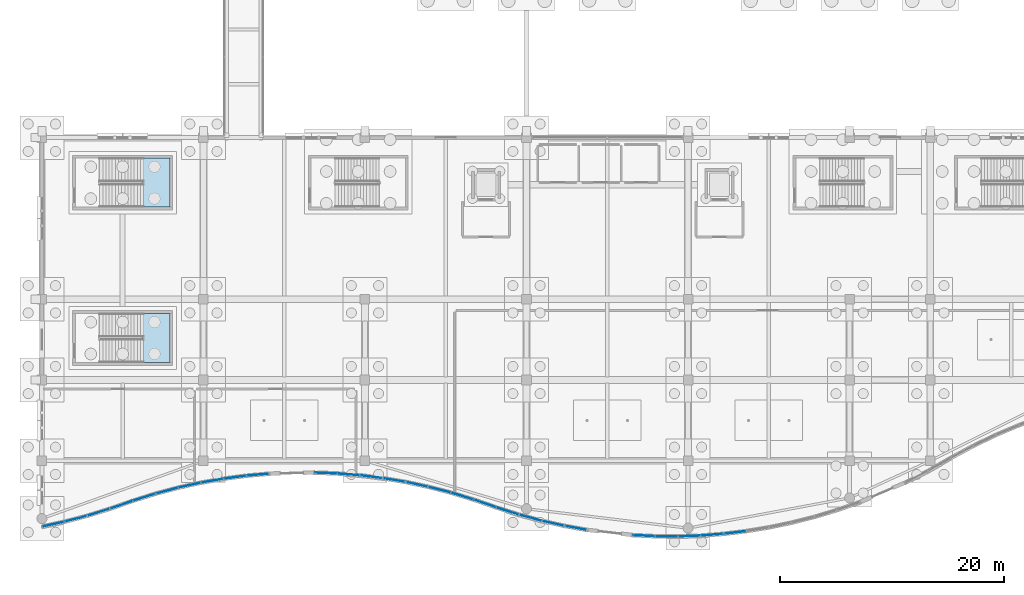
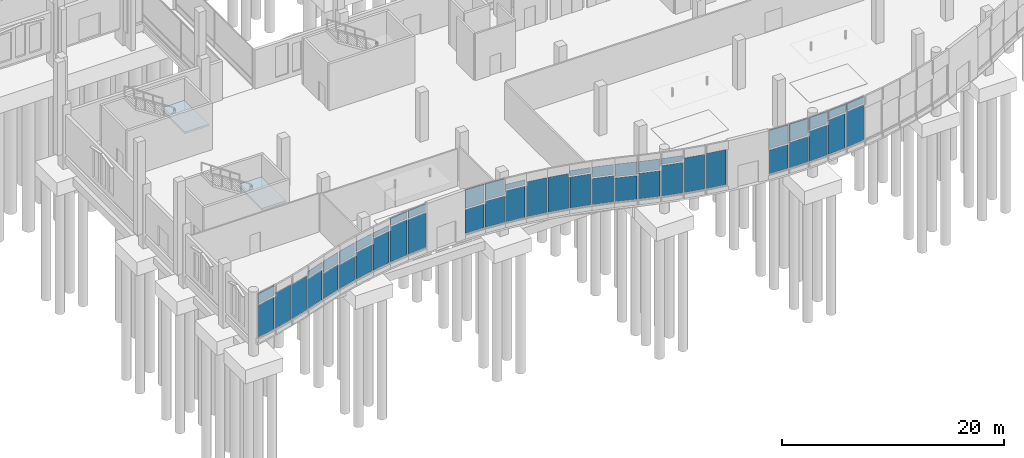
# One storey, part 122 of 192: 48 plates, 2 slabs, 29 elements without a shape of their own.
"""IFC4 building model written with IfcOpenShell, lengths in metres."""

import ifcopenshell
import ifcopenshell.guid

model = None  # the IFC model being written
_history = None  # IfcOwnerHistory: only IFC2X3 demands one
_inside = {}  # id of a spatial element -> (the spatial element, [elements in it])
_under = {}  # id of a project, library or spatial element -> (it, [spatial elements below it])
_declared = {}  # id of a project -> (the project, [libraries it declares])
_typed = {}  # id of a type object -> (the type object, [elements of that type])
_made_of = {}  # id of a material, layer set ... -> (it, [elements and type objects made of it])


def new_model(schema):
    """Start an empty IFC model of exactly this schema.

    Asked for "IFC4X3", IfcOpenShell would pick the latest addendum, in which some entities
    have other attributes; the version numbers below select the first issue.
    IFC2X3 requires an IfcOwnerHistory on every rooted entity: one is made here for all.
    """
    global model, _history
    if schema == "IFC4X3":
        model = ifcopenshell.file(schema_version=(4, 3, 0, 0))
    else:
        model = ifcopenshell.file(schema=schema)
    _inside.clear()
    _under.clear()
    _declared.clear()
    _typed.clear()
    _made_of.clear()
    _history = None
    if model.schema == "IFC2X3":
        org = make("IfcOrganization", Name="unknown")
        user = make(
            "IfcPersonAndOrganization",
            ThePerson=make("IfcPerson", FamilyName="unknown"),
            TheOrganization=org,
        )
        app = make(
            "IfcApplication",
            ApplicationDeveloper=org,
            Version="unknown",
            ApplicationFullName="unknown",
            ApplicationIdentifier="unknown",
        )
        _history = make(
            "IfcOwnerHistory",
            OwningUser=user,
            OwningApplication=app,
            ChangeAction="ADDED",
            CreationDate=0,
        )
    return model


def make(cls, **values):
    """One entity of the class cls with the attributes given. An attribute that is None is left unset."""
    return model.create_entity(
        cls, **{name: value for name, value in values.items() if value is not None}
    )


def rooted(cls, **values):
    """An entity with a GlobalId (a new one), such as an element, a storey or a relation."""
    return make(cls, GlobalId=ifcopenshell.guid.new(), OwnerHistory=_history, **values)


def si_unit(unit_type, name, prefix=None):
    """IfcSIUnit, for example si_unit("LENGTHUNIT", "METRE", prefix="MILLI")."""
    return make("IfcSIUnit", UnitType=unit_type, Prefix=prefix, Name=name)


def assignment(units):
    """IfcUnitAssignment: the units of a project."""
    return None if units is None else make("IfcUnitAssignment", Units=units)


def point(xyz):
    """IfcCartesianPoint."""
    return None if xyz is None else make("IfcCartesianPoint", Coordinates=xyz)


def direction(xyz):
    """IfcDirection."""
    return None if xyz is None else make("IfcDirection", DirectionRatios=xyz)


def frame(location, z_axis=None, x_axis=None):
    """IfcAxis2Placement3D, a coordinate frame: its origin and axes. An axis left out is left unset."""
    return make(
        "IfcAxis2Placement3D",
        Location=point(location),
        Axis=direction(z_axis),
        RefDirection=direction(x_axis),
    )


def frame_2d(location, x_axis=None):
    """IfcAxis2Placement2D, a coordinate frame in the plane: its origin and x axis."""
    return make(
        "IfcAxis2Placement2D", Location=point(location), RefDirection=direction(x_axis)
    )


def origin():
    """The frame at (0, 0, 0) with its axes left unset."""
    return frame((0.0, 0.0, 0.0))


def origin_2d():
    """The frame at (0, 0) in the plane with its x axis left unset."""
    return frame_2d((0.0, 0.0))


def place(relative_to, where):
    """IfcLocalPlacement: puts the frame where relative to a parent placement (None: the world)."""
    return make(
        "IfcLocalPlacement", PlacementRelTo=relative_to, RelativePlacement=where
    )


def context(
    kind, dimensions, precision=None, world=None, true_north=None, identifier=None
):
    """IfcGeometricRepresentationContext, for example the 3D "Model" context."""
    return make(
        "IfcGeometricRepresentationContext",
        ContextIdentifier=identifier,
        ContextType=kind,
        CoordinateSpaceDimension=dimensions,
        Precision=precision,
        WorldCoordinateSystem=world,
        TrueNorth=true_north,
    )


def subcontext(parent, identifier, kind, view, scale=None):
    """IfcGeometricRepresentationSubContext, for example "Body" below "Model"."""
    return make(
        "IfcGeometricRepresentationSubContext",
        ContextIdentifier=identifier,
        ContextType=kind,
        ParentContext=parent,
        TargetScale=scale,
        TargetView=view,
    )


def project(units=None, contexts=None):
    """IfcProject with its units and contexts."""
    return rooted(
        "IfcProject",
        Name="project",
        RepresentationContexts=contexts,
        UnitsInContext=assignment(units),
    )


def spatial(cls, under=None, at=None, **own):
    """A site, building, storey or space (cls), placed at a placement, below another one or the project."""
    s = rooted(cls, ObjectPlacement=at, **own)
    if under is not None:
        _under.setdefault(under.id(), (under, []))[1].append(s)
    return s


def polyline(points):
    """IfcPolyline through the points."""
    return make("IfcPolyline", Points=[point(p) for p in points])


def profile(cls, at=None, kind="AREA", **sizes):
    """A parametric profile (cls). Its sizes go by their IFC names, for example OverallWidth=200.0."""
    return make(cls, ProfileType=kind, Position=at, **sizes)


def rectangle(**sizes):
    """IfcRectangleProfileDef."""
    return profile("IfcRectangleProfileDef", **sizes)


def outline(outer, holes=None, kind="AREA"):
    """IfcArbitraryClosedProfileDef: a profile drawn as a closed curve; with holes, ...WithVoids."""
    if holes is None:
        return make("IfcArbitraryClosedProfileDef", ProfileType=kind, OuterCurve=outer)
    return make(
        "IfcArbitraryProfileDefWithVoids",
        ProfileType=kind,
        OuterCurve=outer,
        InnerCurves=holes,
    )


def extrude(swept, where, along, depth):
    """IfcExtrudedAreaSolid: the profile swept, set in the frame where, extruded along a direction by depth."""
    return make(
        "IfcExtrudedAreaSolid",
        SweptArea=swept,
        Position=where,
        ExtrudedDirection=direction(along),
        Depth=depth,
    )


def shape(context_of_items, identifier, shape_type, items):
    """IfcShapeRepresentation: the items that make up one representation, for example the "Body"."""
    return make(
        "IfcShapeRepresentation",
        ContextOfItems=context_of_items,
        RepresentationIdentifier=identifier,
        RepresentationType=shape_type,
        Items=items,
    )


def material(Name=None, Category=None):
    """IfcMaterial."""
    return make("IfcMaterial", Name=Name, Category=Category)


def layer(
    of_material, thickness, ventilated=None, Name=None, Category=None, Priority=None
):
    """IfcMaterialLayer: one layer of a wall or slab, of a material (None: an air gap)."""
    return make(
        "IfcMaterialLayer",
        Material=of_material,
        LayerThickness=thickness,
        IsVentilated=ventilated,
        Name=Name,
        Category=Category,
        Priority=Priority,
    )


def layer_set(layers, Name=None):
    """IfcMaterialLayerSet."""
    return make("IfcMaterialLayerSet", MaterialLayers=layers, LayerSetName=Name)


def made_of(thing, what):
    """Note that an element or type object is made of a material, layer set ...; save() writes the relation."""
    if what is not None:
        _made_of.setdefault(what.id(), (what, []))[1].append(thing)
    return thing


def type_object(cls, material=None, **own):
    """A type object (cls), such as IfcWallType, which elements share."""
    return made_of(rooted(cls, **own), material)


def element(
    cls,
    number,
    at=None,
    inside=None,
    cuts=None,
    type_object=None,
    material=None,
    context=None,
    identifier="Body",
    shape_type=None,
    held_by="IfcProductDefinitionShape",
    body=None,
    shapes=None,
    **own,
):
    """One element of the class cls, such as IfcWall. Its Tag is "e" and its number.

    at: its placement. inside: the storey or other place that contains it. cuts: it is an
    opening in that element (IfcRelVoidsElement). A single representation is given by context,
    identifier, shape_type and body (its items); several are given by shapes. held_by: the class
    of the entity that holds the representations. save() writes the other relations.
    """
    e = rooted(cls, Tag="e%d" % number, ObjectPlacement=at, **own)
    if body is not None:
        shapes = [shape(context, identifier, shape_type, body)]
    if shapes is not None:
        e.Representation = make(held_by, Representations=shapes)
    if inside is not None:
        _inside.setdefault(inside.id(), (inside, []))[1].append(e)
    if cuts is not None:
        rooted(
            "IfcRelVoidsElement", RelatingBuildingElement=cuts, RelatedOpeningElement=e
        )
    if type_object is not None:
        _typed.setdefault(type_object.id(), (type_object, []))[1].append(e)
    return made_of(e, material)


def aggregate(whole, parts):
    """IfcRelAggregates: a whole, such as a stair, and the parts it consists of."""
    return rooted("IfcRelAggregates", RelatingObject=whole, RelatedObjects=parts)


def save(model, path):
    """Write the relations noted so far, then the file.

    IfcRelAggregates (storeys below a building ...), IfcRelContainedInSpatialStructure (elements
    in a storey), IfcRelDefinesByType, IfcRelAssociatesMaterial and IfcRelDeclares: one each for
    every whole, place, type object, material and project.
    """
    for whole, parts in _under.values():
        aggregate(whole, parts)
    for where, things in _inside.values():
        rooted(
            "IfcRelContainedInSpatialStructure",
            RelatedElements=things,
            RelatingStructure=where,
        )
    for kind, things in _typed.values():
        rooted("IfcRelDefinesByType", RelatedObjects=things, RelatingType=kind)
    for what, things in _made_of.values():
        rooted("IfcRelAssociatesMaterial", RelatedObjects=things, RelatingMaterial=what)
    for by, libraries in _declared.values():
        rooted("IfcRelDeclares", RelatingContext=by, RelatedDefinitions=libraries)
    model.write(path)


model = new_model("IFC4")

# Units and contexts
model_context = context("Model", 3, precision=1e-05, world=origin(), true_north=direction((0.0, 1.0)))
body_context = subcontext(model_context, "Body", "Model", "MODEL_VIEW")
ifc_project = project(units=[si_unit("LENGTHUNIT", "METRE"), si_unit("AREAUNIT", "SQUARE_METRE"), si_unit("VOLUMEUNIT", "CUBIC_METRE"), si_unit("PLANEANGLEUNIT", "RADIAN"), si_unit("MASSUNIT", "GRAM", prefix="KILO")], contexts=[model_context])

# Site, building, storey
site_placement = place(None, origin())
site = spatial("IfcSite", under=ifc_project, at=site_placement, CompositionType="ELEMENT")
building_placement = place(site_placement, origin())
building = spatial("IfcBuilding", under=site, at=building_placement, Name="Cendralis Lancet Convention Centre", CompositionType="ELEMENT")
storey_placement = place(building_placement, origin())
storey = spatial("IfcBuildingStorey", under=building, at=storey_placement, Name="L00", CompositionType="ELEMENT", Elevation=0.0)

# Curtain wall, plate
ifc_material_1 = material(Name="Anodised bronze architectural aluminium", Category="aluminium")
curtain_wall_type = type_object("IfcCurtainWallType", Name="ARC-CW-WF01", PredefinedType="USERDEFINED", material=ifc_material_1)
curtain_wall_1_placement = place(storey_placement, origin())
curtain_wall_1 = element("IfcCurtainWall", 1, at=curtain_wall_1_placement, inside=storey, type_object=curtain_wall_type, Name="L00 Curtain Wall CW-WF1 #001", ObjectType="CURTAIN WALL", PredefinedType="USERDEFINED")
ifc_material_2 = material(Name="Double-glazed low-E solar-control glass", Category="glass")
ifc_layer_1 = layer(ifc_material_2, 0.035888671875, Name="Double-glazed low-E solar-control glass")
ifc_layer_set_1 = layer_set([ifc_layer_1], Name="Double-glazed low-E solar-control glass")
plate_type_1 = type_object("IfcPlateType", Name="ARC-PL-GL01", PredefinedType="CURTAIN_PANEL", material=ifc_layer_set_1)
plate_1_placement = place(storey_placement, frame((1.012451171875, 1.5439453125, 0.52001953125), z_axis=(0.0, 0.0, 1.0), x_axis=(0.977397995132, 0.211407566353, 0.0)))
plate_1 = element("IfcPlate", 2, at=plate_1_placement, type_object=plate_type_1, Name="Vision Glass Panel CW2-CW-WF1-L00-001-PG0", PredefinedType="CURTAIN_PANEL", context=body_context, shape_type="SweptSolid", body=[
    extrude(rectangle(XDim=1.931884765625, YDim=0.035888671875, at=origin_2d()), origin(), (0.0, 0.0, 1.0), 3.5380859375),
])

curtain_wall_2_placement = place(storey_placement, origin())
curtain_wall_2 = element("IfcCurtainWall", 3, at=curtain_wall_2_placement, inside=storey, type_object=curtain_wall_type, Name="L00 Curtain Wall CW-WF1 #002", ObjectType="CURTAIN WALL", PredefinedType="USERDEFINED")
plate_2_placement = place(storey_placement, frame((3.03759765625, 2.028564453125, 0.52001953125), z_axis=(0.0, 0.0, 1.0), x_axis=(0.967296917987, 0.253646747374, 0.0)))
plate_2 = element("IfcPlate", 4, at=plate_2_placement, type_object=plate_type_1, Name="Vision Glass Panel CW2-CW-WF1-L00-002-PG0", PredefinedType="CURTAIN_PANEL", context=body_context, shape_type="SweptSolid", body=[
    extrude(rectangle(XDim=1.95361328125, YDim=0.035888671875, at=origin_2d()), origin(), (0.0, 0.0, 1.0), 3.89208984375),
])
aggregate(curtain_wall_2, [plate_2])

curtain_wall_3_placement = place(storey_placement, origin())
curtain_wall_3 = element("IfcCurtainWall", 5, at=curtain_wall_3_placement, inside=storey, type_object=curtain_wall_type, Name="L00 Curtain Wall CW-WF1 #003", ObjectType="CURTAIN WALL", PredefinedType="USERDEFINED")
plate_3_placement = place(storey_placement, frame((5.06298828125, 2.607421875, 0.52001953125), z_axis=(0.0, 0.0, 1.0), x_axis=(0.955298574248, 0.295642747316, 0.0)))
plate_3 = element("IfcPlate", 6, at=plate_3_placement, type_object=plate_type_1, Name="Vision Glass Panel CW2-CW-WF1-L00-003-PG0", PredefinedType="CURTAIN_PANEL", context=body_context, shape_type="SweptSolid", body=[
    extrude(rectangle(XDim=1.980712890625, YDim=0.035888671875, at=origin_2d()), origin(), (0.0, 0.0, 1.0), 3.782958984375),
])
aggregate(curtain_wall_3, [plate_3])

curtain_wall_4_placement = place(storey_placement, origin())
curtain_wall_4 = element("IfcCurtainWall", 7, at=curtain_wall_4_placement, inside=storey, type_object=curtain_wall_type, Name="L00 Curtain Wall CW-WF1 #004", ObjectType="CURTAIN WALL", PredefinedType="USERDEFINED")
plate_4_placement = place(storey_placement, frame((7.08837890625, 3.2734375, 0.52001953125), z_axis=(0.0, 0.0, 1.0), x_axis=(0.944402382378, 0.328791940531, 0.0)))
plate_4 = element("IfcPlate", 8, at=plate_4_placement, type_object=plate_type_1, Name="Vision Glass Panel CW2-CW-WF1-L00-004-PG0", PredefinedType="CURTAIN_PANEL", context=body_context, shape_type="SweptSolid", body=[
    extrude(rectangle(XDim=2.004150390625, YDim=0.035888671875, at=origin_2d()), origin(), (0.0, 0.0, 1.0), 3.291015625),
])

curtain_wall_5_placement = place(storey_placement, origin())
curtain_wall_5 = element("IfcCurtainWall", 9, at=curtain_wall_5_placement, inside=storey, type_object=curtain_wall_type, Name="L00 Curtain Wall CW-WF1 #005", ObjectType="CURTAIN WALL", PredefinedType="USERDEFINED")
plate_5_placement = place(storey_placement, frame((9.113525390625, 3.943115234375, 0.52001953125), z_axis=(0.0, 0.0, 1.0), x_axis=(0.954320515917, 0.298784793621, 0.0)))
plate_5 = element("IfcPlate", 10, at=plate_5_placement, type_object=plate_type_1, Name="Vision Glass Panel CW2-CW-WF1-L00-005-PG0", PredefinedType="CURTAIN_PANEL", context=body_context, shape_type="SweptSolid", body=[
    extrude(rectangle(XDim=1.98193359375, YDim=0.035888671875, at=origin_2d()), origin(), (0.0, 0.0, 1.0), 2.777099609375),
])

curtain_wall_6_placement = place(storey_placement, origin())
curtain_wall_6 = element("IfcCurtainWall", 11, at=curtain_wall_6_placement, inside=storey, type_object=curtain_wall_type, Name="L00 Curtain Wall CW-WF1 #006", ObjectType="CURTAIN WALL", PredefinedType="USERDEFINED")
plate_6_placement = place(storey_placement, frame((11.138427734375, 4.529052734375, 0.52001953125), z_axis=(0.0, 0.0, 1.0), x_axis=(0.966472173551, 0.256771372531, 0.0)))
plate_6 = element("IfcPlate", 12, at=plate_6_placement, type_object=plate_type_1, Name="Vision Glass Panel CW2-CW-WF1-L00-006-PG0", PredefinedType="CURTAIN_PANEL", context=body_context, shape_type="SweptSolid", body=[
    extrude(rectangle(XDim=1.955078125, YDim=0.035888671875, at=origin_2d()), origin(), (0.0, 0.0, 1.0), 2.616943359375),
])

curtain_wall_7_placement = place(storey_placement, origin())
curtain_wall_7 = element("IfcCurtainWall", 13, at=curtain_wall_7_placement, inside=storey, type_object=curtain_wall_type, Name="L00 Curtain Wall CW-WF1 #007", ObjectType="CURTAIN WALL", PredefinedType="USERDEFINED")
plate_7_placement = place(storey_placement, frame((13.1640625, 5.0205078125, 0.52001953125), z_axis=(0.0, 0.0, 1.0), x_axis=(0.976717248513, 0.214530688847, 0.0)))
plate_7 = element("IfcPlate", 14, at=plate_7_placement, type_object=plate_type_1, Name="Vision Glass Panel CW2-CW-WF1-L00-007-PG0", PredefinedType="CURTAIN_PANEL", context=body_context, shape_type="SweptSolid", body=[
    extrude(rectangle(XDim=1.934326171875, YDim=0.035888671875, at=origin_2d()), origin(), (0.0, 0.0, 1.0), 2.926025390625),
])

curtain_wall_8_placement = place(storey_placement, origin())
curtain_wall_8 = element("IfcCurtainWall", 15, at=curtain_wall_8_placement, inside=storey, type_object=curtain_wall_type, Name="L00 Curtain Wall CW-WF1 #008", ObjectType="CURTAIN WALL", PredefinedType="USERDEFINED")
plate_8_placement = place(storey_placement, frame((15.189453125, 5.42041015625, 0.52001953125), z_axis=(0.0, 0.0, 1.0), x_axis=(0.984978802843, 0.172675296295, 0.0)))
plate_8 = element("IfcPlate", 16, at=plate_8_placement, type_object=plate_type_1, Name="Vision Glass Panel CW2-CW-WF1-L00-008-PG0", PredefinedType="CURTAIN_PANEL", context=body_context, shape_type="SweptSolid", body=[
    extrude(rectangle(XDim=1.916015625, YDim=0.035888671875, at=origin_2d()), origin(), (0.0, 0.0, 1.0), 3.47998046875),
])

curtain_wall_9_placement = place(storey_placement, origin())
curtain_wall_9 = element("IfcCurtainWall", 17, at=curtain_wall_9_placement, inside=storey, type_object=curtain_wall_type, Name="L00 Curtain Wall CW-WF1 #009", ObjectType="CURTAIN WALL", PredefinedType="USERDEFINED")
plate_9_placement = place(storey_placement, frame((17.214599609375, 5.73095703125, 0.52001953125), z_axis=(0.0, 0.0, 1.0), x_axis=(0.991482602856, 0.130239196228, 0.0)))
plate_9 = element("IfcPlate", 18, at=plate_9_placement, type_object=plate_type_1, Name="Vision Glass Panel CW2-CW-WF1-L00-009-PG0", PredefinedType="CURTAIN_PANEL", context=body_context, shape_type="SweptSolid", body=[
    extrude(rectangle(XDim=1.90234375, YDim=0.035888671875, at=origin_2d()), origin(), (0.0, 0.0, 1.0), 3.873046875),
])

curtain_wall_10_placement = place(storey_placement, origin())
curtain_wall_10 = element("IfcCurtainWall", 19, at=curtain_wall_10_placement, inside=storey, type_object=curtain_wall_type, Name="L00 Curtain Wall CW-WF1 #010", ObjectType="CURTAIN WALL", PredefinedType="USERDEFINED")
plate_10_placement = place(storey_placement, frame((19.239501953125, 5.95361328125, 0.52001953125), z_axis=(0.0, 0.0, 1.0), x_axis=(0.996115903603, 0.088051726785, 0.0)))
plate_10 = element("IfcPlate", 20, at=plate_10_placement, type_object=plate_type_1, Name="Vision Glass Panel CW2-CW-WF1-L00-010-PG0", PredefinedType="CURTAIN_PANEL", context=body_context, shape_type="SweptSolid", body=[
    extrude(rectangle(XDim=1.892822265625, YDim=0.035888671875, at=origin_2d()), origin(), (0.0, 0.0, 1.0), 3.81689453125),
])

curtain_wall_11_placement = place(storey_placement, origin())
curtain_wall_11 = element("IfcCurtainWall", 21, at=curtain_wall_11_placement, inside=storey, type_object=curtain_wall_type, Name="L00 Curtain Wall CW-WF1 #011", ObjectType="CURTAIN WALL", PredefinedType="USERDEFINED")
plate_11_placement = place(storey_placement, frame((25.3154296875, 6.103515625, 0.52001953125), z_axis=(0.0, 0.0, 1.0), x_axis=(0.999239885982, -0.038982691847, 0.0)))
plate_11 = element("IfcPlate", 22, at=plate_11_placement, type_object=plate_type_1, Name="Vision Glass Panel CW2-CW-WF1-L00-011-PG0", PredefinedType="CURTAIN_PANEL", context=body_context, shape_type="SweptSolid", body=[
    extrude(rectangle(XDim=1.886474609375, YDim=0.035888671875, at=origin_2d()), origin(), (0.0, 0.0, 1.0), 2.610107421875),
])

curtain_wall_12_placement = place(storey_placement, origin())
curtain_wall_12 = element("IfcCurtainWall", 23, at=curtain_wall_12_placement, inside=storey, type_object=curtain_wall_type, Name="L00 Curtain Wall CW-WF1 #012", ObjectType="CURTAIN WALL", PredefinedType="USERDEFINED")
plate_12_placement = place(storey_placement, frame((27.340576171875, 5.98193359375, 0.52001953125), z_axis=(0.0, 0.0, 1.0), x_axis=(0.99673654493, -0.080723354748, 0.0)))
plate_12 = element("IfcPlate", 24, at=plate_12_placement, type_object=plate_type_1, Name="Vision Glass Panel CW2-CW-WF1-L00-012-PG0", PredefinedType="CURTAIN_PANEL", context=body_context, shape_type="SweptSolid", body=[
    extrude(rectangle(XDim=1.8916015625, YDim=0.035888671875, at=origin_2d()), origin(), (0.0, 0.0, 1.0), 2.8720703125),
])

curtain_wall_13_placement = place(storey_placement, origin())
curtain_wall_13 = element("IfcCurtainWall", 25, at=curtain_wall_13_placement, inside=storey, type_object=curtain_wall_type, Name="L00 Curtain Wall CW-WF1 #013", ObjectType="CURTAIN WALL", PredefinedType="USERDEFINED")
plate_13_placement = place(storey_placement, frame((29.365478515625, 5.7744140625, 0.52001953125), z_axis=(0.0, 0.0, 1.0), x_axis=(0.992405520842, -0.123009276898, 0.0)))
plate_13 = element("IfcPlate", 26, at=plate_13_placement, type_object=plate_type_1, Name="Vision Glass Panel CW2-CW-WF1-L00-013-PG0", PredefinedType="CURTAIN_PANEL", context=body_context, shape_type="SweptSolid", body=[
    extrude(rectangle(XDim=1.900390625, YDim=0.035888671875, at=origin_2d()), origin(), (0.0, 0.0, 1.0), 3.41796875),
])

curtain_wall_14_placement = place(storey_placement, origin())
curtain_wall_14 = element("IfcCurtainWall", 27, at=curtain_wall_14_placement, inside=storey, type_object=curtain_wall_type, Name="L00 Curtain Wall CW-WF1 #014", ObjectType="CURTAIN WALL", PredefinedType="USERDEFINED")
plate_14_placement = place(storey_placement, frame((31.39111328125, 5.4794921875, 0.52001953125), z_axis=(0.0, 0.0, 1.0), x_axis=(0.986288464225, -0.165030498201, 0.0)))
plate_14 = element("IfcPlate", 28, at=plate_14_placement, type_object=plate_type_1, Name="Vision Glass Panel CW2-CW-WF1-L00-014-PG0", PredefinedType="CURTAIN_PANEL", context=body_context, shape_type="SweptSolid", body=[
    extrude(rectangle(XDim=1.914306640625, YDim=0.035888671875, at=origin_2d()), origin(), (0.0, 0.0, 1.0), 3.84912109375),
])
aggregate(curtain_wall_14, [plate_14])

curtain_wall_15_placement = place(storey_placement, origin())
curtain_wall_15 = element("IfcCurtainWall", 29, at=curtain_wall_15_placement, inside=storey, type_object=curtain_wall_type, Name="L00 Curtain Wall CW-WF1 #015", ObjectType="CURTAIN WALL", PredefinedType="USERDEFINED")
plate_15_placement = place(storey_placement, frame((33.41650390625, 5.094970703125, 0.52001953125), z_axis=(0.0, 0.0, 1.0), x_axis=(0.978189532291, -0.207714320443, 0.0)))
plate_15 = element("IfcPlate", 30, at=plate_15_placement, type_object=plate_type_1, Name="Vision Glass Panel CW2-CW-WF1-L00-015-PG0", PredefinedType="CURTAIN_PANEL", context=body_context, shape_type="SweptSolid", body=[
    extrude(rectangle(XDim=1.93017578125, YDim=0.035888671875, at=origin_2d()), origin(), (0.0, 0.0, 1.0), 3.847900390625),
])
aggregate(curtain_wall_15, [plate_15])

curtain_wall_16_placement = place(storey_placement, origin())
curtain_wall_16 = element("IfcCurtainWall", 31, at=curtain_wall_16_placement, inside=storey, type_object=curtain_wall_type, Name="L00 Curtain Wall CW-WF1 #016", ObjectType="CURTAIN WALL", PredefinedType="USERDEFINED")
plate_16_placement = place(storey_placement, frame((35.44140625, 4.618896484375, 0.52001953125), z_axis=(0.0, 0.0, 1.0), x_axis=(0.968344469251, -0.249617685412, 0.0)))
plate_16 = element("IfcPlate", 32, at=plate_16_placement, type_object=plate_type_1, Name="Vision Glass Panel CW2-CW-WF1-L00-016-PG0", PredefinedType="CURTAIN_PANEL", context=body_context, shape_type="SweptSolid", body=[
    extrude(rectangle(XDim=1.951171875, YDim=0.035888671875, at=origin_2d()), origin(), (0.0, 0.0, 1.0), 3.4169921875),
])

curtain_wall_17_placement = place(storey_placement, origin())
curtain_wall_17 = element("IfcCurtainWall", 33, at=curtain_wall_17_placement, inside=storey, type_object=curtain_wall_type, Name="L00 Curtain Wall CW-WF1 #017", ObjectType="CURTAIN WALL", PredefinedType="USERDEFINED")
plate_17_placement = place(storey_placement, frame((37.466552734375, 4.049072265625, 0.52001953125), z_axis=(0.0, 0.0, 1.0), x_axis=(0.956450513637, -0.291894527122, 0.0)))
plate_17 = element("IfcPlate", 34, at=plate_17_placement, type_object=plate_type_1, Name="Vision Glass Panel CW2-CW-WF1-L00-017-PG0", PredefinedType="CURTAIN_PANEL", context=body_context, shape_type="SweptSolid", body=[
    extrude(rectangle(XDim=1.977294921875, YDim=0.035888671875, at=origin_2d()), origin(), (0.0, 0.0, 1.0), 2.87109375),
])

curtain_wall_18_placement = place(storey_placement, origin())
curtain_wall_18 = element("IfcCurtainWall", 35, at=curtain_wall_18_placement, inside=storey, type_object=curtain_wall_type, Name="L00 Curtain Wall CW-WF1 #018", ObjectType="CURTAIN WALL", PredefinedType="USERDEFINED")
plate_18_placement = place(storey_placement, frame((39.491943359375, 3.387939453125, 0.52001953125), z_axis=(0.0, 0.0, 1.0), x_axis=(0.944597390523, -0.328231274893, 0.0)))
plate_18 = element("IfcPlate", 36, at=plate_18_placement, type_object=plate_type_1, Name="Vision Glass Panel CW2-CW-WF1-L00-018-PG0", PredefinedType="CURTAIN_PANEL", context=body_context, shape_type="SweptSolid", body=[
    extrude(rectangle(XDim=2.0048828125, YDim=0.035888671875, at=origin_2d()), origin(), (0.0, 0.0, 1.0), 2.610107421875),
])

curtain_wall_19_placement = place(storey_placement, origin())
curtain_wall_19 = element("IfcCurtainWall", 37, at=curtain_wall_19_placement, inside=storey, type_object=curtain_wall_type, Name="L00 Curtain Wall CW-WF1 #019", ObjectType="CURTAIN WALL", PredefinedType="USERDEFINED")
plate_19_placement = place(storey_placement, frame((41.517578125, 2.714599609375, 0.52001953125), z_axis=(0.0, 0.0, 1.0), x_axis=(0.953104873923, -0.302640214289, 0.0)))
plate_19 = element("IfcPlate", 38, at=plate_19_placement, type_object=plate_type_1, Name="Vision Glass Panel CW2-CW-WF1-L00-019-PG0", PredefinedType="CURTAIN_PANEL", context=body_context, shape_type="SweptSolid", body=[
    extrude(rectangle(XDim=1.984619140625, YDim=0.035888671875, at=origin_2d()), origin(), (0.0, 0.0, 1.0), 2.822998046875),
])

curtain_wall_20_placement = place(storey_placement, origin())
curtain_wall_20 = element("IfcCurtainWall", 39, at=curtain_wall_20_placement, inside=storey, type_object=curtain_wall_type, Name="L00 Curtain Wall CW-WF1 #020", ObjectType="CURTAIN WALL", PredefinedType="USERDEFINED")
plate_20_placement = place(storey_placement, frame((43.54248046875, 2.119384765625, 0.52001953125), z_axis=(0.0, 0.0, 1.0), x_axis=(0.96539908272, -0.260776937406, 0.0)))
plate_20 = element("IfcPlate", 40, at=plate_20_placement, type_object=plate_type_1, Name="Vision Glass Panel CW2-CW-WF1-L00-020-PG0", PredefinedType="CURTAIN_PANEL", context=body_context, shape_type="SweptSolid", body=[
    extrude(rectangle(XDim=1.95751953125, YDim=0.035888671875, at=origin_2d()), origin(), (0.0, 0.0, 1.0), 3.35693359375),
])

curtain_wall_21_placement = place(storey_placement, origin())
curtain_wall_21 = element("IfcCurtainWall", 41, at=curtain_wall_21_placement, inside=storey, type_object=curtain_wall_type, Name="L00 Curtain Wall CW-WF1 #021", ObjectType="CURTAIN WALL", PredefinedType="USERDEFINED")
plate_21_placement = place(storey_placement, frame((45.5673828125, 1.619384765625, 0.52001953125), z_axis=(0.0, 0.0, 1.0), x_axis=(0.975879929577, -0.218307954616, 0.0)))
plate_21 = element("IfcPlate", 42, at=plate_21_placement, type_object=plate_type_1, Name="Vision Glass Panel CW2-CW-WF1-L00-021-PG0", PredefinedType="CURTAIN_PANEL", context=body_context, shape_type="SweptSolid", body=[
    extrude(rectangle(XDim=1.93505859375, YDim=0.035888671875, at=origin_2d()), origin(), (0.0, 0.0, 1.0), 3.819091796875),
])
aggregate(curtain_wall_21, [plate_21])

curtain_wall_22_placement = place(storey_placement, origin())
curtain_wall_22 = element("IfcCurtainWall", 43, at=curtain_wall_22_placement, inside=storey, type_object=curtain_wall_type, Name="L00 Curtain Wall CW-WF1 #022", ObjectType="CURTAIN WALL", PredefinedType="USERDEFINED")
plate_22_placement = place(storey_placement, frame((47.593017578125, 1.21142578125, 0.52001953125), z_axis=(0.0, 0.0, 1.0), x_axis=(0.98432531563, -0.176362334443, 0.0)))
plate_22 = element("IfcPlate", 44, at=plate_22_placement, type_object=plate_type_1, Name="Vision Glass Panel CW2-CW-WF1-L00-022-PG0", PredefinedType="CURTAIN_PANEL", context=body_context, shape_type="SweptSolid", body=[
    extrude(rectangle(XDim=1.918212890625, YDim=0.035888671875, at=origin_2d()), origin(), (0.0, 0.0, 1.0), 3.873046875),
])
aggregate(curtain_wall_22, [plate_22])

curtain_wall_23_placement = place(storey_placement, origin())
curtain_wall_23 = element("IfcCurtainWall", 45, at=curtain_wall_23_placement, inside=storey, type_object=curtain_wall_type, Name="L00 Curtain Wall CW-WF1 #023", ObjectType="CURTAIN WALL", PredefinedType="USERDEFINED")
plate_23_placement = place(storey_placement, frame((53.66845703125, 0.51953125, 0.52001953125), z_axis=(0.0, 0.0, 1.0), x_axis=(0.998758481106, -0.049814620531, 0.0)))
plate_23 = element("IfcPlate", 46, at=plate_23_placement, type_object=plate_type_1, Name="Vision Glass Panel CW2-CW-WF1-L00-023-PG0", PredefinedType="CURTAIN_PANEL", context=body_context, shape_type="SweptSolid", body=[
    extrude(rectangle(XDim=1.887451171875, YDim=0.035888671875, at=origin_2d()), origin(), (0.0, 0.0, 1.0), 2.615966796875),
])

curtain_wall_24_placement = place(storey_placement, origin())
curtain_wall_24 = element("IfcCurtainWall", 47, at=curtain_wall_24_placement, inside=storey, type_object=curtain_wall_type, Name="L00 Curtain Wall CW-WF1 #024", ObjectType="CURTAIN WALL", PredefinedType="USERDEFINED")
plate_24_placement = place(storey_placement, frame((55.693603515625, 0.4619140625, 0.52001953125), z_axis=(0.0, 0.0, 1.0), x_axis=(0.999976102061, -0.006913415018, 0.0)))
plate_24 = element("IfcPlate", 48, at=plate_24_placement, type_object=plate_type_1, Name="Vision Glass Panel CW2-CW-WF1-L00-024-PG0", PredefinedType="CURTAIN_PANEL", context=body_context, shape_type="SweptSolid", body=[
    extrude(rectangle(XDim=1.885009765625, YDim=0.035888671875, at=origin_2d()), origin(), (0.0, 0.0, 1.0), 2.779052734375),
])

curtain_wall_25_placement = place(storey_placement, origin())
curtain_wall_25 = element("IfcCurtainWall", 49, at=curtain_wall_25_placement, inside=storey, type_object=curtain_wall_type, Name="L00 Curtain Wall CW-WF1 #025", ObjectType="CURTAIN WALL", PredefinedType="USERDEFINED")
plate_25_placement = place(storey_placement, frame((57.718994140625, 0.489990234375, 0.52001953125), z_axis=(0.0, 0.0, 1.0), x_axis=(0.999403653627, 0.034530234829, 0.0)))
plate_25 = element("IfcPlate", 50, at=plate_25_placement, type_object=plate_type_1, Name="Vision Glass Panel CW2-CW-WF1-L00-025-PG0", PredefinedType="CURTAIN_PANEL", context=body_context, shape_type="SweptSolid", body=[
    extrude(rectangle(XDim=1.88720703125, YDim=0.035888671875, at=origin_2d()), origin(), (0.0, 0.0, 1.0), 3.29296875),
])

curtain_wall_26_placement = place(storey_placement, origin())
curtain_wall_26 = element("IfcCurtainWall", 51, at=curtain_wall_26_placement, inside=storey, type_object=curtain_wall_type, Name="L00 Curtain Wall CW-WF1 #026", ObjectType="CURTAIN WALL", PredefinedType="USERDEFINED")
plate_26_placement = place(storey_placement, frame((59.744384765625, 0.60302734375, 0.52001953125), z_axis=(0.0, 0.0, 1.0), x_axis=(0.99704579025, 0.076809453479, 0.0)))
plate_26 = element("IfcPlate", 52, at=plate_26_placement, type_object=plate_type_1, Name="Vision Glass Panel CW2-CW-WF1-L00-026-PG0", PredefinedType="CURTAIN_PANEL", context=body_context, shape_type="SweptSolid", body=[
    extrude(rectangle(XDim=1.89111328125, YDim=0.035888671875, at=origin_2d()), origin(), (0.0, 0.0, 1.0), 3.783935546875),
])

curtain_wall_27_placement = place(storey_placement, origin())
curtain_wall_27 = element("IfcCurtainWall", 53, at=curtain_wall_27_placement, inside=storey, type_object=curtain_wall_type, Name="L00 Curtain Wall CW-WF1 #027", ObjectType="CURTAIN WALL", PredefinedType="USERDEFINED")
plate_27_placement = place(storey_placement, frame((61.76953125, 0.802978515625, 0.52001953125), z_axis=(0.0, 0.0, 1.0), x_axis=(0.992818722327, 0.119628527524, 0.0)))
plate_27 = element("IfcPlate", 54, at=plate_27_placement, type_object=plate_type_1, Name="Vision Glass Panel CW2-CW-WF1-L00-027-PG0", PredefinedType="CURTAIN_PANEL", context=body_context, shape_type="SweptSolid", body=[
    extrude(rectangle(XDim=1.899658203125, YDim=0.035888671875, at=origin_2d()), origin(), (0.0, 0.0, 1.0), 3.89111328125),
])

# Plate
ifc_material_3 = material(Name="Insulated ceramic-fritted spandrel glass", Category="glass")
ifc_layer_2 = layer(ifc_material_3, 0.044921875, Name="Insulated ceramic-fritted spandrel glass")
ifc_layer_set_2 = layer_set([ifc_layer_2], Name="Insulated ceramic-fritted spandrel glass")
plate_type_2 = type_object("IfcPlateType", Name="ARC-PL-SP01", PredefinedType="CURTAIN_PANEL", material=ifc_layer_set_2)
plate_28_placement = place(storey_placement, frame((1.012451171875, 1.5439453125, 4.19775390625), z_axis=(0.0, 0.0, 1.0), x_axis=(0.977397995132, 0.211407566353, 0.0)))
plate_28 = element("IfcPlate", 55, at=plate_28_placement, type_object=plate_type_2, Name="Spandrel Panel CW2-CW-WF1-L00-001-PS0", PredefinedType="CURTAIN_PANEL", context=body_context, shape_type="SweptSolid", body=[
    extrude(rectangle(XDim=1.931884765625, YDim=0.044921875, at=origin_2d()), origin(), (0.0, 0.0, 1.0), 1.132080078125),
])

aggregate(curtain_wall_1, [plate_1, plate_28])

plate_29_placement = place(storey_placement, frame((7.08837890625, 3.2734375, 3.950927734375), z_axis=(0.0, 0.0, 1.0), x_axis=(0.944402382378, 0.328791940531, 0.0)))
plate_29 = element("IfcPlate", 56, at=plate_29_placement, type_object=plate_type_2, Name="Spandrel Panel CW2-CW-WF1-L00-004-PS0", PredefinedType="CURTAIN_PANEL", context=body_context, shape_type="SweptSolid", body=[
    extrude(rectangle(XDim=2.004150390625, YDim=0.044921875, at=origin_2d()), origin(), (0.0, 0.0, 1.0), 0.68408203125),
])

aggregate(curtain_wall_4, [plate_4, plate_29])

plate_30_placement = place(storey_placement, frame((9.113525390625, 3.943115234375, 3.43701171875), z_axis=(0.0, 0.0, 1.0), x_axis=(0.954320515917, 0.298784793621, 0.0)))
plate_30 = element("IfcPlate", 57, at=plate_30_placement, type_object=plate_type_2, Name="Spandrel Panel CW2-CW-WF1-L00-005-PS0", PredefinedType="CURTAIN_PANEL", context=body_context, shape_type="SweptSolid", body=[
    extrude(rectangle(XDim=1.98193359375, YDim=0.044921875, at=origin_2d()), origin(), (0.0, 0.0, 1.0), 1.197998046875),
])

aggregate(curtain_wall_5, [plate_5, plate_30])

plate_31_placement = place(storey_placement, frame((11.138427734375, 4.529052734375, 3.277099609375), z_axis=(0.0, 0.0, 1.0), x_axis=(0.966472173551, 0.256771372531, 0.0)))
plate_31 = element("IfcPlate", 58, at=plate_31_placement, type_object=plate_type_2, Name="Spandrel Panel CW2-CW-WF1-L00-006-PS0", PredefinedType="CURTAIN_PANEL", context=body_context, shape_type="SweptSolid", body=[
    extrude(rectangle(XDim=1.955078125, YDim=0.044921875, at=origin_2d()), origin(), (0.0, 0.0, 1.0), 1.35791015625),
])

aggregate(curtain_wall_6, [plate_6, plate_31])

plate_32_placement = place(storey_placement, frame((13.1640625, 5.0205078125, 3.5859375), z_axis=(0.0, 0.0, 1.0), x_axis=(0.976717248513, 0.214530688847, 0.0)))
plate_32 = element("IfcPlate", 59, at=plate_32_placement, type_object=plate_type_2, Name="Spandrel Panel CW2-CW-WF1-L00-007-PS0", PredefinedType="CURTAIN_PANEL", context=body_context, shape_type="SweptSolid", body=[
    extrude(rectangle(XDim=1.934326171875, YDim=0.044921875, at=origin_2d()), origin(), (0.0, 0.0, 1.0), 1.049072265625),
])

aggregate(curtain_wall_7, [plate_7, plate_32])

plate_33_placement = place(storey_placement, frame((15.189453125, 5.42041015625, 4.139892578125), z_axis=(0.0, 0.0, 1.0), x_axis=(0.984978802843, 0.172675296295, 0.0)))
plate_33 = element("IfcPlate", 60, at=plate_33_placement, type_object=plate_type_2, Name="Spandrel Panel CW2-CW-WF1-L00-008-PS0", PredefinedType="CURTAIN_PANEL", context=body_context, shape_type="SweptSolid", body=[
    extrude(rectangle(XDim=1.916015625, YDim=0.044921875, at=origin_2d()), origin(), (0.0, 0.0, 1.0), 0.4951171875),
])

aggregate(curtain_wall_8, [plate_8, plate_33])

plate_34_placement = place(storey_placement, frame((17.214599609375, 5.73095703125, 4.53271484375), z_axis=(0.0, 0.0, 1.0), x_axis=(0.991482602856, 0.130239196228, 0.0)))
plate_34 = element("IfcPlate", 61, at=plate_34_placement, type_object=plate_type_2, Name="Spandrel Panel CW2-CW-WF1-L00-009-PS0", PredefinedType="CURTAIN_PANEL", context=body_context, shape_type="SweptSolid", body=[
    extrude(rectangle(XDim=1.90234375, YDim=0.044921875, at=origin_2d()), origin(), (0.0, 0.0, 1.0), 0.797119140625),
])

aggregate(curtain_wall_9, [plate_9, plate_34])

plate_35_placement = place(storey_placement, frame((19.239501953125, 5.95361328125, 4.47705078125), z_axis=(0.0, 0.0, 1.0), x_axis=(0.996115903603, 0.088051726785, 0.0)))
plate_35 = element("IfcPlate", 62, at=plate_35_placement, type_object=plate_type_2, Name="Spandrel Panel CW2-CW-WF1-L00-010-PS0", PredefinedType="CURTAIN_PANEL", context=body_context, shape_type="SweptSolid", body=[
    extrude(rectangle(XDim=1.892822265625, YDim=0.044921875, at=origin_2d()), origin(), (0.0, 0.0, 1.0), 0.85302734375),
])

aggregate(curtain_wall_10, [plate_10, plate_35])

plate_36_placement = place(storey_placement, frame((25.3154296875, 6.103515625, 3.27001953125), z_axis=(0.0, 0.0, 1.0), x_axis=(0.999239885982, -0.038982691847, 0.0)))
plate_36 = element("IfcPlate", 63, at=plate_36_placement, type_object=plate_type_2, Name="Spandrel Panel CW2-CW-WF1-L00-011-PS0", PredefinedType="CURTAIN_PANEL", context=body_context, shape_type="SweptSolid", body=[
    extrude(rectangle(XDim=1.886474609375, YDim=0.044921875, at=origin_2d()), origin(), (0.0, 0.0, 1.0), 2.06005859375),
])

aggregate(curtain_wall_11, [plate_11, plate_36])

plate_37_placement = place(storey_placement, frame((27.340576171875, 5.98193359375, 3.53173828125), z_axis=(0.0, 0.0, 1.0), x_axis=(0.99673654493, -0.080723354748, 0.0)))
plate_37 = element("IfcPlate", 64, at=plate_37_placement, type_object=plate_type_2, Name="Spandrel Panel CW2-CW-WF1-L00-012-PS0", PredefinedType="CURTAIN_PANEL", context=body_context, shape_type="SweptSolid", body=[
    extrude(rectangle(XDim=1.8916015625, YDim=0.044921875, at=origin_2d()), origin(), (0.0, 0.0, 1.0), 1.798095703125),
])

aggregate(curtain_wall_12, [plate_12, plate_37])

plate_38_placement = place(storey_placement, frame((29.365478515625, 5.7744140625, 4.078125), z_axis=(0.0, 0.0, 1.0), x_axis=(0.992405520842, -0.123009276898, 0.0)))
plate_38 = element("IfcPlate", 65, at=plate_38_placement, type_object=plate_type_2, Name="Spandrel Panel CW2-CW-WF1-L00-013-PS0", PredefinedType="CURTAIN_PANEL", context=body_context, shape_type="SweptSolid", body=[
    extrude(rectangle(XDim=1.900390625, YDim=0.044921875, at=origin_2d()), origin(), (0.0, 0.0, 1.0), 0.556884765625),
])

aggregate(curtain_wall_13, [plate_13, plate_38])

plate_39_placement = place(storey_placement, frame((35.44140625, 4.618896484375, 4.076904296875), z_axis=(0.0, 0.0, 1.0), x_axis=(0.968344469251, -0.249617685412, 0.0)))
plate_39 = element("IfcPlate", 66, at=plate_39_placement, type_object=plate_type_2, Name="Spandrel Panel CW2-CW-WF1-L00-016-PS0", PredefinedType="CURTAIN_PANEL", context=body_context, shape_type="SweptSolid", body=[
    extrude(rectangle(XDim=1.951171875, YDim=0.044921875, at=origin_2d()), origin(), (0.0, 0.0, 1.0), 0.55810546875),
])

aggregate(curtain_wall_16, [plate_16, plate_39])

plate_40_placement = place(storey_placement, frame((37.466552734375, 4.049072265625, 3.531005859375), z_axis=(0.0, 0.0, 1.0), x_axis=(0.956450513637, -0.291894527122, 0.0)))
plate_40 = element("IfcPlate", 67, at=plate_40_placement, type_object=plate_type_2, Name="Spandrel Panel CW2-CW-WF1-L00-017-PS0", PredefinedType="CURTAIN_PANEL", context=body_context, shape_type="SweptSolid", body=[
    extrude(rectangle(XDim=1.977294921875, YDim=0.044921875, at=origin_2d()), origin(), (0.0, 0.0, 1.0), 1.10400390625),
])

aggregate(curtain_wall_17, [plate_17, plate_40])

plate_41_placement = place(storey_placement, frame((39.491943359375, 3.387939453125, 3.27001953125), z_axis=(0.0, 0.0, 1.0), x_axis=(0.944597390523, -0.328231274893, 0.0)))
plate_41 = element("IfcPlate", 68, at=plate_41_placement, type_object=plate_type_2, Name="Spandrel Panel CW2-CW-WF1-L00-018-PS0", PredefinedType="CURTAIN_PANEL", context=body_context, shape_type="SweptSolid", body=[
    extrude(rectangle(XDim=2.0048828125, YDim=0.044921875, at=origin_2d()), origin(), (0.0, 0.0, 1.0), 1.364990234375),
])

aggregate(curtain_wall_18, [plate_18, plate_41])

plate_42_placement = place(storey_placement, frame((41.517578125, 2.714599609375, 3.48291015625), z_axis=(0.0, 0.0, 1.0), x_axis=(0.953104873923, -0.302640214289, 0.0)))
plate_42 = element("IfcPlate", 69, at=plate_42_placement, type_object=plate_type_2, Name="Spandrel Panel CW2-CW-WF1-L00-019-PS0", PredefinedType="CURTAIN_PANEL", context=body_context, shape_type="SweptSolid", body=[
    extrude(rectangle(XDim=1.984619140625, YDim=0.044921875, at=origin_2d()), origin(), (0.0, 0.0, 1.0), 1.152099609375),
])

aggregate(curtain_wall_19, [plate_19, plate_42])

plate_43_placement = place(storey_placement, frame((43.54248046875, 2.119384765625, 4.01708984375), z_axis=(0.0, 0.0, 1.0), x_axis=(0.96539908272, -0.260776937406, 0.0)))
plate_43 = element("IfcPlate", 70, at=plate_43_placement, type_object=plate_type_2, Name="Spandrel Panel CW2-CW-WF1-L00-020-PS0", PredefinedType="CURTAIN_PANEL", context=body_context, shape_type="SweptSolid", body=[
    extrude(rectangle(XDim=1.95751953125, YDim=0.044921875, at=origin_2d()), origin(), (0.0, 0.0, 1.0), 0.617919921875),
])

aggregate(curtain_wall_20, [plate_20, plate_43])

plate_44_placement = place(storey_placement, frame((53.66845703125, 0.51953125, 3.27587890625), z_axis=(0.0, 0.0, 1.0), x_axis=(0.998758481106, -0.049814620531, 0.0)))
plate_44 = element("IfcPlate", 71, at=plate_44_placement, type_object=plate_type_2, Name="Spandrel Panel CW2-CW-WF1-L00-023-PS0", PredefinedType="CURTAIN_PANEL", context=body_context, shape_type="SweptSolid", body=[
    extrude(rectangle(XDim=1.887451171875, YDim=0.044921875, at=origin_2d()), origin(), (0.0, 0.0, 1.0), 2.053955078125),
])

aggregate(curtain_wall_23, [plate_23, plate_44])

plate_45_placement = place(storey_placement, frame((55.693603515625, 0.4619140625, 3.43896484375), z_axis=(0.0, 0.0, 1.0), x_axis=(0.999976102061, -0.006913415018, 0.0)))
plate_45 = element("IfcPlate", 72, at=plate_45_placement, type_object=plate_type_2, Name="Spandrel Panel CW2-CW-WF1-L00-024-PS0", PredefinedType="CURTAIN_PANEL", context=body_context, shape_type="SweptSolid", body=[
    extrude(rectangle(XDim=1.885009765625, YDim=0.044921875, at=origin_2d()), origin(), (0.0, 0.0, 1.0), 1.89111328125),
])

aggregate(curtain_wall_24, [plate_24, plate_45])

plate_46_placement = place(storey_placement, frame((57.718994140625, 0.489990234375, 3.953125), z_axis=(0.0, 0.0, 1.0), x_axis=(0.999403653627, 0.034530234829, 0.0)))
plate_46 = element("IfcPlate", 73, at=plate_46_placement, type_object=plate_type_2, Name="Spandrel Panel CW2-CW-WF1-L00-025-PS0", PredefinedType="CURTAIN_PANEL", context=body_context, shape_type="SweptSolid", body=[
    extrude(rectangle(XDim=1.88720703125, YDim=0.044921875, at=origin_2d()), origin(), (0.0, 0.0, 1.0), 1.376953125),
])

aggregate(curtain_wall_25, [plate_25, plate_46])

plate_47_placement = place(storey_placement, frame((59.744384765625, 0.60302734375, 4.44384765625), z_axis=(0.0, 0.0, 1.0), x_axis=(0.99704579025, 0.076809453479, 0.0)))
plate_47 = element("IfcPlate", 74, at=plate_47_placement, type_object=plate_type_2, Name="Spandrel Panel CW2-CW-WF1-L00-026-PS0", PredefinedType="CURTAIN_PANEL", context=body_context, shape_type="SweptSolid", body=[
    extrude(rectangle(XDim=1.89111328125, YDim=0.044921875, at=origin_2d()), origin(), (0.0, 0.0, 1.0), 0.885986328125),
])

aggregate(curtain_wall_26, [plate_26, plate_47])

plate_48_placement = place(storey_placement, frame((61.76953125, 0.802978515625, 4.55078125), z_axis=(0.0, 0.0, 1.0), x_axis=(0.992818722327, 0.119628527524, 0.0)))
plate_48 = element("IfcPlate", 75, at=plate_48_placement, type_object=plate_type_2, Name="Spandrel Panel CW2-CW-WF1-L00-027-PS0", PredefinedType="CURTAIN_PANEL", context=body_context, shape_type="SweptSolid", body=[
    extrude(rectangle(XDim=1.899658203125, YDim=0.044921875, at=origin_2d()), origin(), (0.0, 0.0, 1.0), 0.779052734375),
])

aggregate(curtain_wall_27, [plate_27, plate_48])

# Stair, slab
ifc_material_4 = material(Name="Concrete G35 (C35/45)", Category="concrete")
stair_type = type_object("IfcStairType", Name="ARC-ST-CORE", PredefinedType="HALF_TURN_STAIR", material=ifc_material_4)
stair_1_placement = place(storey_placement, origin())
stair_1 = element("IfcStair", 76, at=stair_1_placement, inside=storey, type_object=stair_type, Name="L00 Protected Exit Stair ST-17", PredefinedType="HALF_TURN_STAIR")
ifc_layer_3 = layer(ifc_material_4, 0.199951171875, Name="Concrete G35 (C35/45)")
ifc_layer_set_3 = layer_set([ifc_layer_3], Name="Concrete G35 (C35/45)")
slab_type = type_object("IfcSlabType", Name="STR-SL-LAND", PredefinedType="LANDING", material=ifc_layer_set_3)
slab_1_placement = place(storey_placement, frame((0.0, 0.0, 2.5)))
slab_1 = element("IfcSlab", 77, at=slab_1_placement, type_object=slab_type, Name="ST-17 landing 1", PredefinedType="LANDING", context=body_context, shape_type="SweptSolid", body=[
    extrude(outline(polyline([(8.909912109375, 15.949951171875), (11.39990234375, 15.949951171875), (11.39990234375, 20.330078125), (8.909912109375, 20.330078125), (8.909912109375, 15.949951171875)])), origin(), (0.0, 0.0, 1.0), 0.199951171875),
])
aggregate(stair_1, [slab_1])

stair_2_placement = place(storey_placement, origin())
stair_2 = element("IfcStair", 78, at=stair_2_placement, inside=storey, type_object=stair_type, Name="L00 Protected Exit Stair ST-20", PredefinedType="HALF_TURN_STAIR")
slab_2_placement = place(storey_placement, frame((0.0, 0.0, 2.5)))
slab_2 = element("IfcSlab", 79, at=slab_2_placement, type_object=slab_type, Name="ST-20 landing 1", PredefinedType="LANDING", context=body_context, shape_type="SweptSolid", body=[
    extrude(outline(polyline([(8.909912109375, 29.800048828125), (11.39990234375, 29.800048828125), (11.39990234375, 34.179931640625), (8.909912109375, 34.179931640625), (8.909912109375, 29.800048828125)])), origin(), (0.0, 0.0, 1.0), 0.199951171875),
])
aggregate(stair_2, [slab_2])

save(model, "model.ifc")
